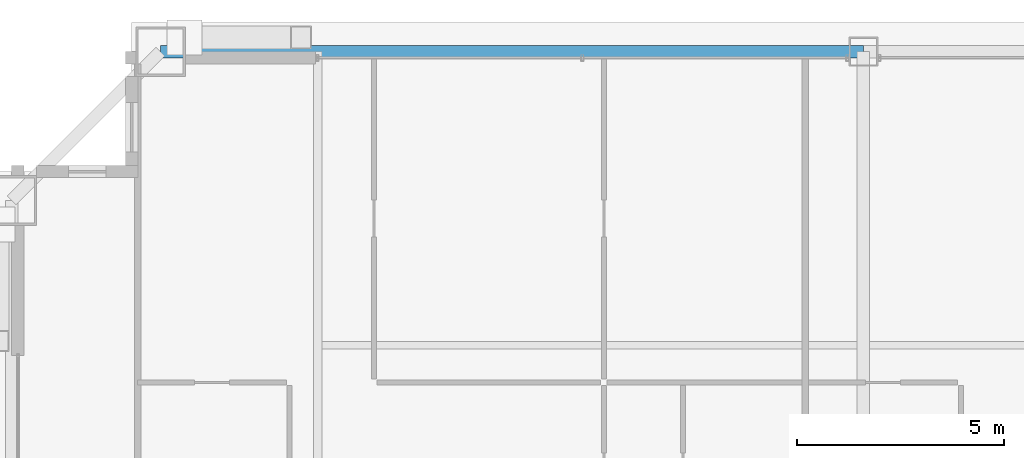
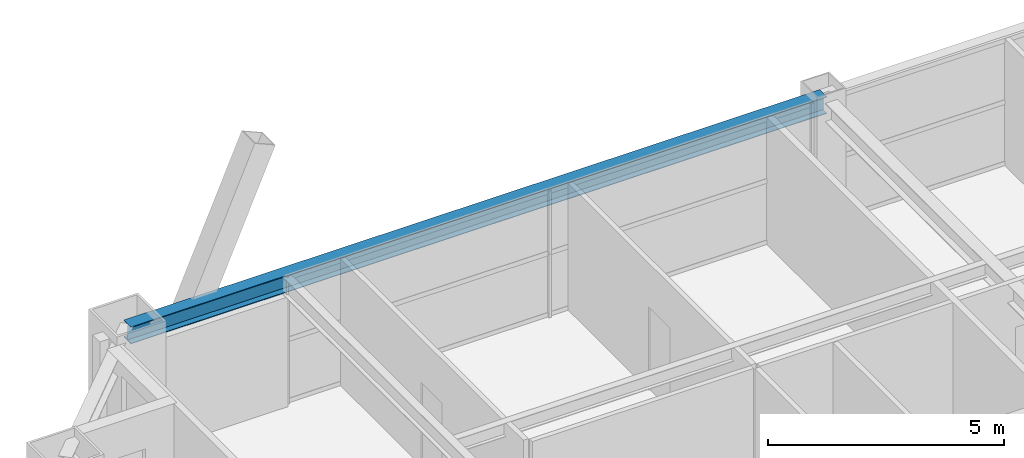
# One storey, part 25 of 37: 1 beam.
"""IFC4 building model written with IfcOpenShell, lengths in metres."""

from ifc_helpers import new_model, si_unit, direction, frame, origin, origin_2d, place, context, subcontext, project, spatial, i_section, extrude, source, transform, mapped, material, material_profile, profile_set, type_object, element, save


model = new_model("IFC4")

# Units and contexts
model_context = context("Model", 3, precision=1e-05, world=origin(), true_north=direction((0.0, 1.0)))
body_context = subcontext(model_context, "Body", "Model", "MODEL_VIEW")
ifc_project = project(units=[si_unit("LENGTHUNIT", "METRE"), si_unit("AREAUNIT", "SQUARE_METRE"), si_unit("VOLUMEUNIT", "CUBIC_METRE"), si_unit("PLANEANGLEUNIT", "RADIAN"), si_unit("MASSUNIT", "GRAM", prefix="KILO"), si_unit("THERMODYNAMICTEMPERATUREUNIT", "KELVIN"), si_unit("POWERUNIT", "WATT")], contexts=[model_context])

# Site, building, storey
site_placement = place(None, origin())
site = spatial("IfcSite", under=ifc_project, at=site_placement, CompositionType="ELEMENT")
building_placement = place(site_placement, origin())
building = spatial("IfcBuilding", under=site, at=building_placement, Name="Yuzanri Waterfront Tower", CompositionType="ELEMENT")
storey_placement = place(building_placement, frame((0.0, 0.0, 278.60009765625)))
storey = spatial("IfcBuildingStorey", under=building, at=storey_placement, Name="L74", CompositionType="ELEMENT", Elevation=278.60009765625)

# Beam
ifc_material = material(Name="Steel Q355B", Category="steel")
ifc_material_profile = material_profile(ifc_material, i_section(OverallWidth=0.300048828125, OverallDepth=0.43994140625, WebThickness=0.010986328125, FlangeThickness=0.01806640625, at=origin_2d()), Name="HM 440x300x11x18")
ifc_profile_set = profile_set([ifc_material_profile], Name="Steel Q355B")
beam_type = type_object("IfcBeamType", Name="Perimeter Spandrel Q355B HM 440x300", PredefinedType="SPANDREL", material=ifc_profile_set)
shared_shape = source(origin(), body_context, "Body", "SweptSolid", [
    extrude(i_section(OverallWidth=0.300048828125, OverallDepth=0.43994140625, WebThickness=0.010986328125, FlangeThickness=0.01806640625, at=origin_2d()), origin(), (0.0, 0.0, 1.0), 17.0),
])
beam_placement = place(storey_placement, frame((37.0, 46.39990234375, 3.059814453125), z_axis=(-1.0, 0.0, 0.0), x_axis=(0.0, -1.0, 0.0)))
element("IfcBeam", 1, at=beam_placement, inside=storey, type_object=beam_type, Name="L74 Perimeter Spandrel N2-N1", PredefinedType="SPANDREL", context=body_context, shape_type="MappedRepresentation", body=[
    mapped(shared_shape, transform((0.0, 0.0, 0.0), scale=1.0)),
])

save(model, "model.ifc")
